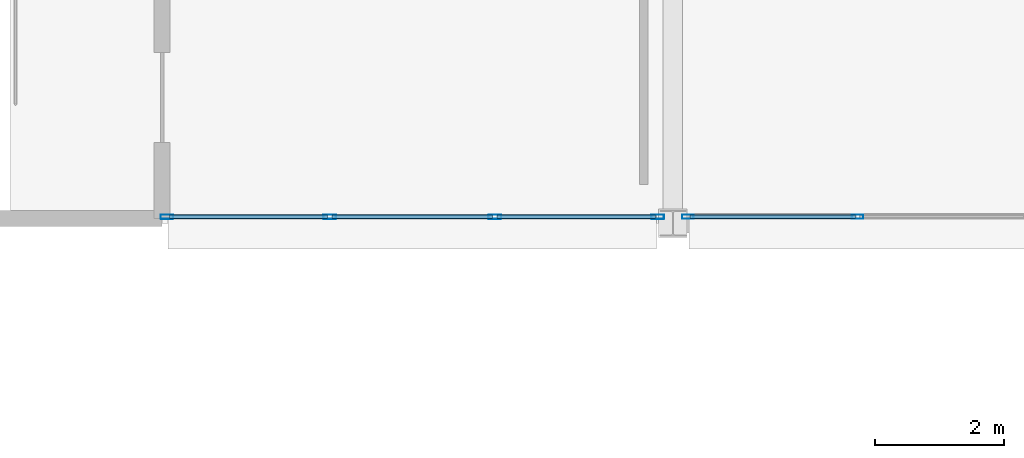
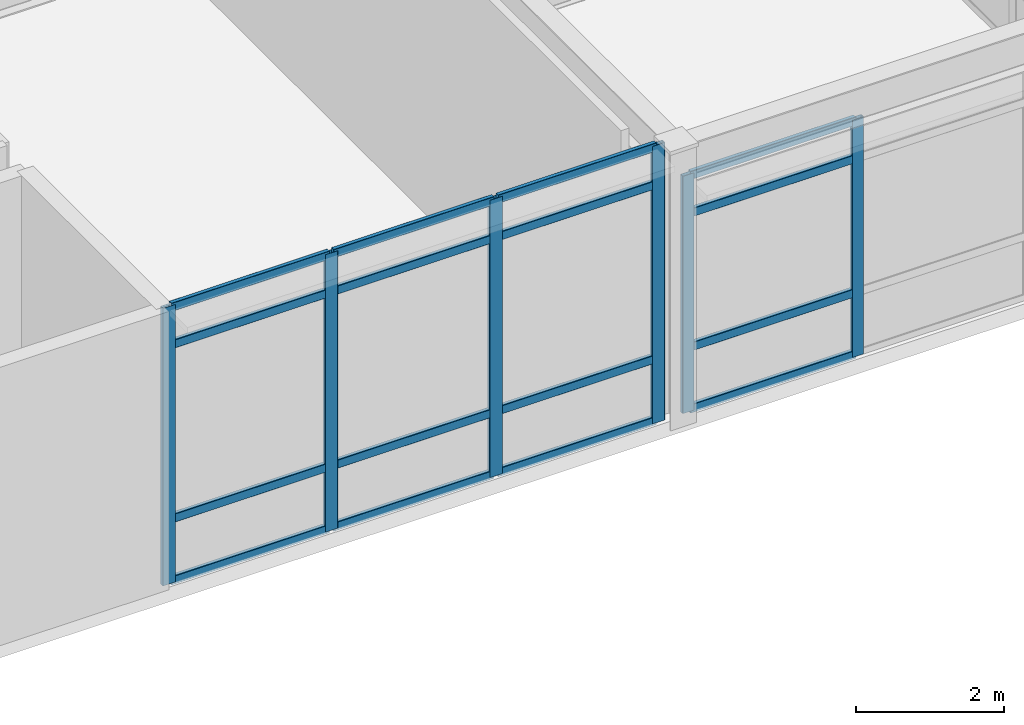
# One storey, part 4 of 61: 22 members, 2 elements without a shape of their own.
"""IFC4 building model written with IfcOpenShell, lengths in metres."""

from ifc_helpers import new_model, si_unit, direction, frame, origin, origin_2d, place, context, subcontext, project, spatial, hollow_rectangle, extrude, material, layer, layer_set, material_profile, profile_set, type_object, element, aggregate, save


model = new_model("IFC4")

# Units and contexts
model_context = context("Model", 3, precision=1e-05, world=origin(), true_north=direction((0.0, 1.0)))
body_context = subcontext(model_context, "Body", "Model", "MODEL_VIEW")
ifc_project = project(units=[si_unit("LENGTHUNIT", "METRE"), si_unit("AREAUNIT", "SQUARE_METRE"), si_unit("VOLUMEUNIT", "CUBIC_METRE"), si_unit("PLANEANGLEUNIT", "RADIAN"), si_unit("MASSUNIT", "GRAM", prefix="KILO")], contexts=[model_context])

# Site, building, storey
site_placement = place(None, origin())
site = spatial("IfcSite", under=ifc_project, at=site_placement, CompositionType="ELEMENT")
building_placement = place(site_placement, origin())
building = spatial("IfcBuilding", under=site, at=building_placement, Name="Kazehara Bluff Congress Hotel", CompositionType="ELEMENT")
storey_placement = place(building_placement, frame((0.0, 0.0, 19.800048828125)))
storey = spatial("IfcBuildingStorey", under=building, at=storey_placement, Name="L04", CompositionType="ELEMENT", Elevation=19.800048828125)

# Curtain wall, members
ifc_material_1 = material(Name="Anodised aluminium", Category="aluminium")
ifc_layer_1 = layer(ifc_material_1, 0.159912109375)
ifc_layer_set_1 = layer_set([ifc_layer_1], Name="Anodised aluminium")
curtain_wall_type_1 = type_object("IfcCurtainWallType", Name="TP-CW-155", PredefinedType="NOTDEFINED", material=ifc_layer_set_1)
curtain_wall_1_placement = place(storey_placement, origin())
curtain_wall_1 = element("IfcCurtainWall", 1, at=curtain_wall_1_placement, inside=storey, type_object=curtain_wall_type_1, Name="L04 curtain wall CW-155 CW-ENC-V4-L04-8025-1610", PredefinedType="NOTDEFINED")
ifc_material_2 = material(Name="Anodised aluminium", Category="aluminium")
ifc_material_profile_1 = material_profile(ifc_material_2, hollow_rectangle(XDim=0.06494140625, YDim=0.179931640625, WallThickness=0.00390625, InnerFilletRadius=0.00390625, OuterFilletRadius=0.008056640625, at=origin_2d()))
ifc_profile_set_1 = profile_set([ifc_material_profile_1], Name="Anodised aluminium")
member_type_1 = type_object("IfcMemberType", Name="TP-CWM-02", PredefinedType="MULLION", material=ifc_profile_set_1)
member_1_placement = place(storey_placement, frame((78.916748046875, 16.10009765625, 0.0), z_axis=(0.0, 0.0, 1.0), x_axis=(0.0, -1.0, 0.0)))
member_1 = element("IfcMember", 2, at=member_1_placement, type_object=member_type_1, Name="CW-155 mullion 3", PredefinedType="MULLION", context=body_context, shape_type="SweptSolid", body=[
    extrude(hollow_rectangle(XDim=0.06494140625, YDim=0.179931640625, WallThickness=0.00390625, InnerFilletRadius=0.00390625, OuterFilletRadius=0.008056640625, at=origin_2d()), origin(), (0.0, 0.0, 1.0), 3.905029296875),
])
member_2_placement = place(storey_placement, frame((76.282470703125, 16.10009765625, 0.0), z_axis=(0.0, 0.0, 1.0), x_axis=(0.0, -1.0, 0.0)))
member_2 = element("IfcMember", 3, at=member_2_placement, type_object=member_type_1, Name="CW-155 mullion 4", PredefinedType="MULLION", context=body_context, shape_type="SweptSolid", body=[
    extrude(hollow_rectangle(XDim=0.06494140625, YDim=0.179931640625, WallThickness=0.00390625, InnerFilletRadius=0.00390625, OuterFilletRadius=0.008056640625, at=origin_2d()), origin(), (0.0, 0.0, 1.0), 3.905029296875),
])

ifc_material_3 = material(Name="Anodised aluminium", Category="aluminium")
ifc_layer_2 = layer(ifc_material_3, 0.159912109375)
ifc_layer_set_2 = layer_set([ifc_layer_2], Name="Anodised aluminium")
curtain_wall_type_2 = type_object("IfcCurtainWallType", Name="TP-CW-154", PredefinedType="NOTDEFINED", material=ifc_layer_set_2)
curtain_wall_2_placement = place(storey_placement, origin())
curtain_wall_2 = element("IfcCurtainWall", 4, at=curtain_wall_2_placement, inside=storey, type_object=curtain_wall_type_2, Name="L04 curtain wall CW-154 CW-ENC-V4-L04-7201-1610", PredefinedType="NOTDEFINED")
ifc_material_4 = material(Name="Anodised aluminium", Category="aluminium")
ifc_material_profile_2 = material_profile(ifc_material_4, hollow_rectangle(XDim=0.070068359375, YDim=0.199951171875, WallThickness=0.0048828125, InnerFilletRadius=0.0048828125, OuterFilletRadius=0.010009765625, at=origin_2d()))
ifc_profile_set_2 = profile_set([ifc_material_profile_2], Name="Anodised aluminium")
member_type_2 = type_object("IfcMemberType", Name="TP-CWM-03", PredefinedType="MULLION", material=ifc_profile_set_2)
member_3_placement = place(storey_placement, frame((75.81494140625, 16.10009765625, 0.0), z_axis=(0.0, 0.0, 1.0), x_axis=(0.0, -1.0, 0.0)))
member_3 = element("IfcMember", 5, at=member_3_placement, type_object=member_type_2, Name="CW-154 mullion 1", PredefinedType="MULLION", context=body_context, shape_type="SweptSolid", body=[
    extrude(hollow_rectangle(XDim=0.070068359375, YDim=0.199951171875, WallThickness=0.0048828125, InnerFilletRadius=0.0048828125, OuterFilletRadius=0.010009765625, at=origin_2d()), origin(), (0.0, 0.0, 1.0), 4.56494140625),
])
member_4_placement = place(storey_placement, frame((73.288330078125, 16.10009765625, 0.0), z_axis=(0.0, 0.0, 1.0), x_axis=(0.0, -1.0, 0.0)))
member_4 = element("IfcMember", 6, at=member_4_placement, type_object=member_type_2, Name="CW-154 mullion 2", PredefinedType="MULLION", context=body_context, shape_type="SweptSolid", body=[
    extrude(hollow_rectangle(XDim=0.070068359375, YDim=0.199951171875, WallThickness=0.0048828125, InnerFilletRadius=0.0048828125, OuterFilletRadius=0.010009765625, at=origin_2d()), origin(), (0.0, 0.0, 1.0), 4.56494140625),
])
member_5_placement = place(storey_placement, frame((70.7265625, 16.10009765625, 0.0), z_axis=(0.0, 0.0, 1.0), x_axis=(0.0, -1.0, 0.0)))
member_5 = element("IfcMember", 7, at=member_5_placement, type_object=member_type_2, Name="CW-154 mullion 3", PredefinedType="MULLION", context=body_context, shape_type="SweptSolid", body=[
    extrude(hollow_rectangle(XDim=0.070068359375, YDim=0.199951171875, WallThickness=0.0048828125, InnerFilletRadius=0.0048828125, OuterFilletRadius=0.010009765625, at=origin_2d()), origin(), (0.0, 0.0, 1.0), 4.56494140625),
])
member_6_placement = place(storey_placement, frame((68.199951171875, 16.10009765625, 0.0), z_axis=(0.0, 0.0, 1.0), x_axis=(0.0, -1.0, 0.0)))
member_6 = element("IfcMember", 8, at=member_6_placement, type_object=member_type_2, Name="CW-154 mullion 4", PredefinedType="MULLION", context=body_context, shape_type="SweptSolid", body=[
    extrude(hollow_rectangle(XDim=0.070068359375, YDim=0.199951171875, WallThickness=0.0048828125, InnerFilletRadius=0.0048828125, OuterFilletRadius=0.010009765625, at=origin_2d()), origin(), (0.0, 0.0, 1.0), 4.56494140625),
])
ifc_material_5 = material(Name="Anodised aluminium", Category="aluminium")
ifc_material_profile_3 = material_profile(ifc_material_5, hollow_rectangle(XDim=0.06494140625, YDim=0.139892578125, WallThickness=0.00390625, InnerFilletRadius=0.00390625, OuterFilletRadius=0.008056640625, at=origin_2d()))
ifc_profile_set_3 = profile_set([ifc_material_profile_3], Name="Anodised aluminium")
member_type_3 = type_object("IfcMemberType", Name="TP-CWT-02", PredefinedType="USERDEFINED", material=ifc_profile_set_3)
member_7_placement = place(storey_placement, frame((75.780029296875, 16.10009765625, 0.032470703125), z_axis=(-1.0, 0.0, 0.0), x_axis=(0.0, -1.0, 0.0)))
member_7 = element("IfcMember", 9, at=member_7_placement, type_object=member_type_3, Name="CW-154 transom 1.1", ObjectType="TRANSOM", PredefinedType="USERDEFINED", context=body_context, shape_type="SweptSolid", body=[
    extrude(hollow_rectangle(XDim=0.06494140625, YDim=0.139892578125, WallThickness=0.00390625, InnerFilletRadius=0.00390625, OuterFilletRadius=0.008056640625, at=origin_2d()), origin(), (0.0, 0.0, 1.0), 2.456787109375),
])
member_8_placement = place(storey_placement, frame((75.780029296875, 16.10009765625, 1.050048828125), z_axis=(-1.0, 0.0, 0.0), x_axis=(0.0, -1.0, 0.0)))
member_8 = element("IfcMember", 10, at=member_8_placement, type_object=member_type_3, Name="CW-154 transom 1.2", ObjectType="TRANSOM", PredefinedType="USERDEFINED", context=body_context, shape_type="SweptSolid", body=[
    extrude(hollow_rectangle(XDim=0.06494140625, YDim=0.139892578125, WallThickness=0.00390625, InnerFilletRadius=0.00390625, OuterFilletRadius=0.008056640625, at=origin_2d()), origin(), (0.0, 0.0, 1.0), 2.456787109375),
])
member_9_placement = place(storey_placement, frame((75.780029296875, 16.10009765625, 3.9150390625), z_axis=(-1.0, 0.0, 0.0), x_axis=(0.0, -1.0, 0.0)))
member_9 = element("IfcMember", 11, at=member_9_placement, type_object=member_type_3, Name="CW-154 transom 1.3", ObjectType="TRANSOM", PredefinedType="USERDEFINED", context=body_context, shape_type="SweptSolid", body=[
    extrude(hollow_rectangle(XDim=0.06494140625, YDim=0.139892578125, WallThickness=0.00390625, InnerFilletRadius=0.00390625, OuterFilletRadius=0.008056640625, at=origin_2d()), origin(), (0.0, 0.0, 1.0), 2.456787109375),
])
member_10_placement = place(storey_placement, frame((75.780029296875, 16.10009765625, 4.532470703125), z_axis=(-1.0, 0.0, 0.0), x_axis=(0.0, -1.0, 0.0)))
member_10 = element("IfcMember", 12, at=member_10_placement, type_object=member_type_3, Name="CW-154 transom 1.4", ObjectType="TRANSOM", PredefinedType="USERDEFINED", context=body_context, shape_type="SweptSolid", body=[
    extrude(hollow_rectangle(XDim=0.06494140625, YDim=0.139892578125, WallThickness=0.00390625, InnerFilletRadius=0.00390625, OuterFilletRadius=0.008056640625, at=origin_2d()), origin(), (0.0, 0.0, 1.0), 2.456787109375),
])
member_11_placement = place(storey_placement, frame((73.25341796875, 16.10009765625, 0.032470703125), z_axis=(-1.0, 0.0, 0.0), x_axis=(0.0, -1.0, 0.0)))
member_11 = element("IfcMember", 13, at=member_11_placement, type_object=member_type_3, Name="CW-154 transom 2.1", ObjectType="TRANSOM", PredefinedType="USERDEFINED", context=body_context, shape_type="SweptSolid", body=[
    extrude(hollow_rectangle(XDim=0.06494140625, YDim=0.139892578125, WallThickness=0.00390625, InnerFilletRadius=0.00390625, OuterFilletRadius=0.008056640625, at=origin_2d()), origin(), (0.0, 0.0, 1.0), 2.49169921875),
])
member_12_placement = place(storey_placement, frame((73.25341796875, 16.10009765625, 1.050048828125), z_axis=(-1.0, 0.0, 0.0), x_axis=(0.0, -1.0, 0.0)))
member_12 = element("IfcMember", 14, at=member_12_placement, type_object=member_type_3, Name="CW-154 transom 2.2", ObjectType="TRANSOM", PredefinedType="USERDEFINED", context=body_context, shape_type="SweptSolid", body=[
    extrude(hollow_rectangle(XDim=0.06494140625, YDim=0.139892578125, WallThickness=0.00390625, InnerFilletRadius=0.00390625, OuterFilletRadius=0.008056640625, at=origin_2d()), origin(), (0.0, 0.0, 1.0), 2.49169921875),
])
member_13_placement = place(storey_placement, frame((73.25341796875, 16.10009765625, 3.9150390625), z_axis=(-1.0, 0.0, 0.0), x_axis=(0.0, -1.0, 0.0)))
member_13 = element("IfcMember", 15, at=member_13_placement, type_object=member_type_3, Name="CW-154 transom 2.3", ObjectType="TRANSOM", PredefinedType="USERDEFINED", context=body_context, shape_type="SweptSolid", body=[
    extrude(hollow_rectangle(XDim=0.06494140625, YDim=0.139892578125, WallThickness=0.00390625, InnerFilletRadius=0.00390625, OuterFilletRadius=0.008056640625, at=origin_2d()), origin(), (0.0, 0.0, 1.0), 2.49169921875),
])
member_14_placement = place(storey_placement, frame((73.25341796875, 16.10009765625, 4.532470703125), z_axis=(-1.0, 0.0, 0.0), x_axis=(0.0, -1.0, 0.0)))
member_14 = element("IfcMember", 16, at=member_14_placement, type_object=member_type_3, Name="CW-154 transom 2.4", ObjectType="TRANSOM", PredefinedType="USERDEFINED", context=body_context, shape_type="SweptSolid", body=[
    extrude(hollow_rectangle(XDim=0.06494140625, YDim=0.139892578125, WallThickness=0.00390625, InnerFilletRadius=0.00390625, OuterFilletRadius=0.008056640625, at=origin_2d()), origin(), (0.0, 0.0, 1.0), 2.49169921875),
])
member_15_placement = place(storey_placement, frame((70.691650390625, 16.10009765625, 0.032470703125), z_axis=(-1.0, 0.0, 0.0), x_axis=(0.0, -1.0, 0.0)))
member_15 = element("IfcMember", 17, at=member_15_placement, type_object=member_type_3, Name="CW-154 transom 3.1", ObjectType="TRANSOM", PredefinedType="USERDEFINED", context=body_context, shape_type="SweptSolid", body=[
    extrude(hollow_rectangle(XDim=0.06494140625, YDim=0.139892578125, WallThickness=0.00390625, InnerFilletRadius=0.00390625, OuterFilletRadius=0.008056640625, at=origin_2d()), origin(), (0.0, 0.0, 1.0), 2.45654296875),
])
member_16_placement = place(storey_placement, frame((70.691650390625, 16.10009765625, 1.050048828125), z_axis=(-1.0, 0.0, 0.0), x_axis=(0.0, -1.0, 0.0)))
member_16 = element("IfcMember", 18, at=member_16_placement, type_object=member_type_3, Name="CW-154 transom 3.2", ObjectType="TRANSOM", PredefinedType="USERDEFINED", context=body_context, shape_type="SweptSolid", body=[
    extrude(hollow_rectangle(XDim=0.06494140625, YDim=0.139892578125, WallThickness=0.00390625, InnerFilletRadius=0.00390625, OuterFilletRadius=0.008056640625, at=origin_2d()), origin(), (0.0, 0.0, 1.0), 2.45654296875),
])
member_17_placement = place(storey_placement, frame((70.691650390625, 16.10009765625, 3.9150390625), z_axis=(-1.0, 0.0, 0.0), x_axis=(0.0, -1.0, 0.0)))
member_17 = element("IfcMember", 19, at=member_17_placement, type_object=member_type_3, Name="CW-154 transom 3.3", ObjectType="TRANSOM", PredefinedType="USERDEFINED", context=body_context, shape_type="SweptSolid", body=[
    extrude(hollow_rectangle(XDim=0.06494140625, YDim=0.139892578125, WallThickness=0.00390625, InnerFilletRadius=0.00390625, OuterFilletRadius=0.008056640625, at=origin_2d()), origin(), (0.0, 0.0, 1.0), 2.45654296875),
])
member_18_placement = place(storey_placement, frame((70.691650390625, 16.10009765625, 4.532470703125), z_axis=(-1.0, 0.0, 0.0), x_axis=(0.0, -1.0, 0.0)))
member_18 = element("IfcMember", 20, at=member_18_placement, type_object=member_type_3, Name="CW-154 transom 3.4", ObjectType="TRANSOM", PredefinedType="USERDEFINED", context=body_context, shape_type="SweptSolid", body=[
    extrude(hollow_rectangle(XDim=0.06494140625, YDim=0.139892578125, WallThickness=0.00390625, InnerFilletRadius=0.00390625, OuterFilletRadius=0.008056640625, at=origin_2d()), origin(), (0.0, 0.0, 1.0), 2.45654296875),
])
aggregate(curtain_wall_2, [member_3, member_4, member_5, member_6, member_7, member_8, member_9, member_10, member_11, member_12, member_13, member_14, member_15, member_16, member_17, member_18])

# Member
member_19_placement = place(storey_placement, frame((78.88427734375, 16.10009765625, 0.032470703125), z_axis=(-1.0, 0.0, 0.0), x_axis=(0.0, -1.0, 0.0)))
member_19 = element("IfcMember", 21, at=member_19_placement, type_object=member_type_3, Name="CW-155 transom 3.1", ObjectType="TRANSOM", PredefinedType="USERDEFINED", context=body_context, shape_type="SweptSolid", body=[
    extrude(hollow_rectangle(XDim=0.06494140625, YDim=0.139892578125, WallThickness=0.00390625, InnerFilletRadius=0.00390625, OuterFilletRadius=0.008056640625, at=origin_2d()), origin(), (0.0, 0.0, 1.0), 2.5693359375),
])

member_20_placement = place(storey_placement, frame((78.88427734375, 16.10009765625, 1.050048828125), z_axis=(-1.0, 0.0, 0.0), x_axis=(0.0, -1.0, 0.0)))
member_20 = element("IfcMember", 22, at=member_20_placement, type_object=member_type_3, Name="CW-155 transom 3.2", ObjectType="TRANSOM", PredefinedType="USERDEFINED", context=body_context, shape_type="SweptSolid", body=[
    extrude(hollow_rectangle(XDim=0.06494140625, YDim=0.139892578125, WallThickness=0.00390625, InnerFilletRadius=0.00390625, OuterFilletRadius=0.008056640625, at=origin_2d()), origin(), (0.0, 0.0, 1.0), 2.5693359375),
])

member_21_placement = place(storey_placement, frame((78.88427734375, 16.10009765625, 3.2548828125), z_axis=(-1.0, 0.0, 0.0), x_axis=(0.0, -1.0, 0.0)))
member_21 = element("IfcMember", 23, at=member_21_placement, type_object=member_type_3, Name="CW-155 transom 3.3", ObjectType="TRANSOM", PredefinedType="USERDEFINED", context=body_context, shape_type="SweptSolid", body=[
    extrude(hollow_rectangle(XDim=0.06494140625, YDim=0.139892578125, WallThickness=0.00390625, InnerFilletRadius=0.00390625, OuterFilletRadius=0.008056640625, at=origin_2d()), origin(), (0.0, 0.0, 1.0), 2.5693359375),
])

member_22_placement = place(storey_placement, frame((78.88427734375, 16.10009765625, 3.87255859375), z_axis=(-1.0, 0.0, 0.0), x_axis=(0.0, -1.0, 0.0)))
member_22 = element("IfcMember", 24, at=member_22_placement, type_object=member_type_3, Name="CW-155 transom 3.4", ObjectType="TRANSOM", PredefinedType="USERDEFINED", context=body_context, shape_type="SweptSolid", body=[
    extrude(hollow_rectangle(XDim=0.06494140625, YDim=0.139892578125, WallThickness=0.00390625, InnerFilletRadius=0.00390625, OuterFilletRadius=0.008056640625, at=origin_2d()), origin(), (0.0, 0.0, 1.0), 2.5693359375),
])

aggregate(curtain_wall_1, [member_1, member_2, member_19, member_20, member_21, member_22])

save(model, "model.ifc")
